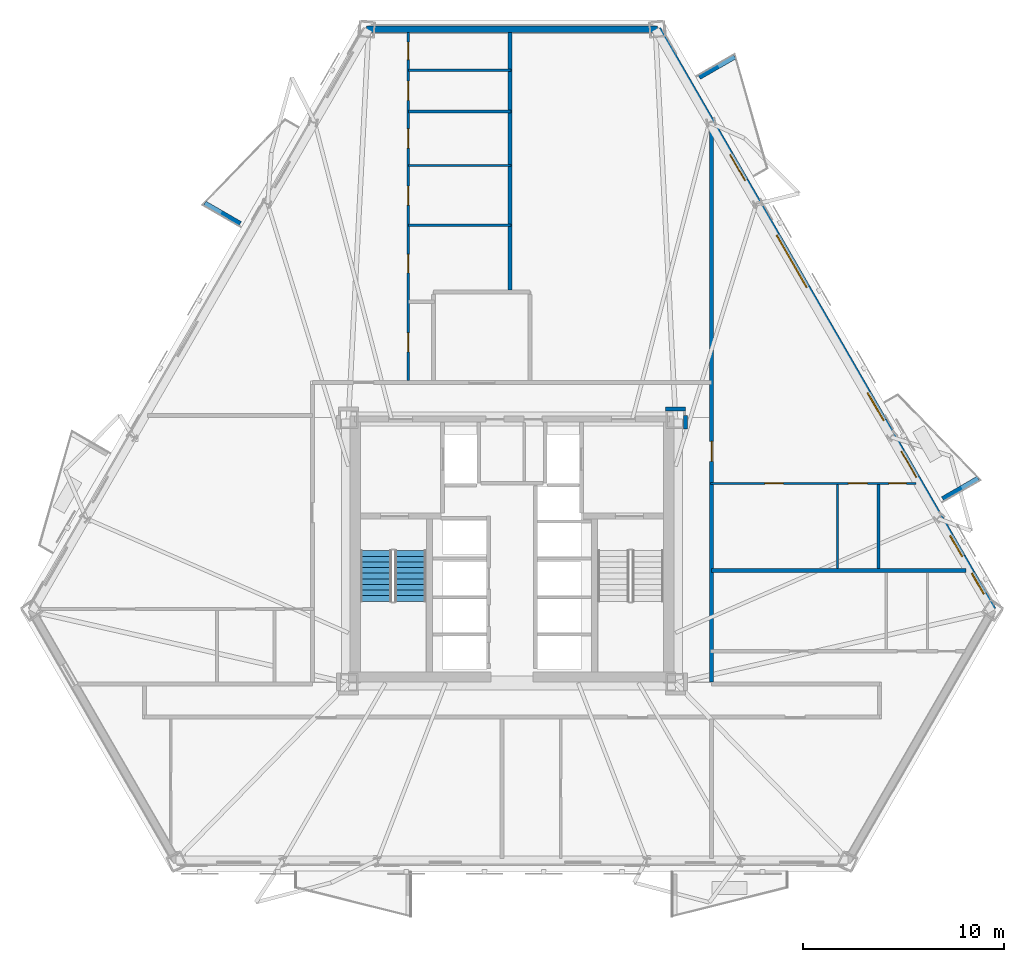
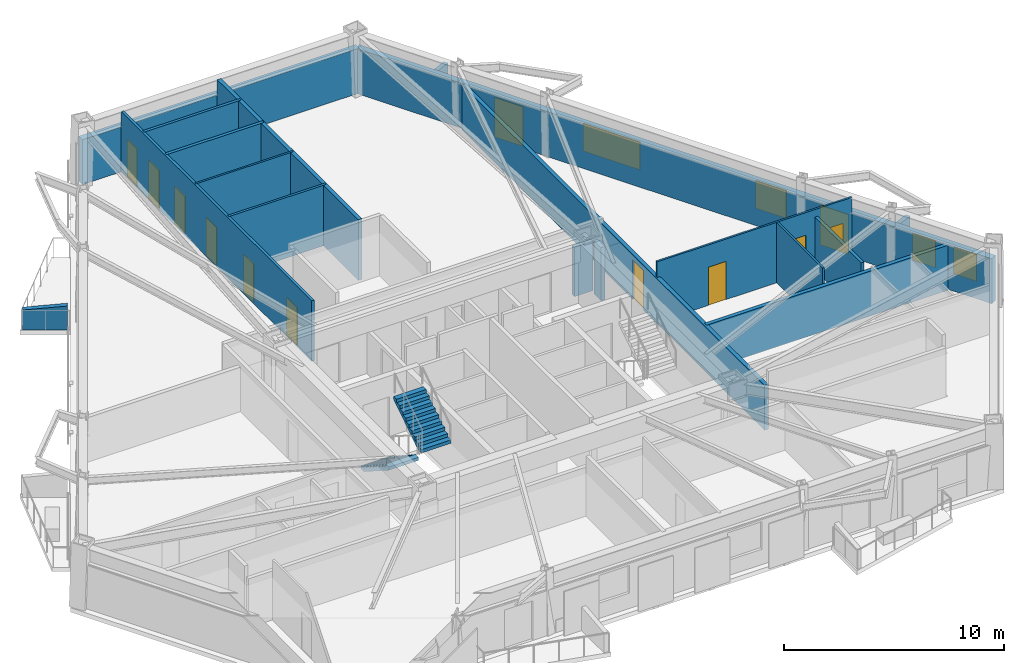
# One storey, part 5 of 10: 18 walls, 12 doors, 4 windows, 2 stair flights, 16 openings, 1 element without a shape of its own.
"""IFC4 building model written with IfcOpenShell, lengths in metres."""

import ifcopenshell
import ifcopenshell.guid

model = None  # the IFC model being written
_history = None  # IfcOwnerHistory: only IFC2X3 demands one
_inside = {}  # id of a spatial element -> (the spatial element, [elements in it])
_under = {}  # id of a project, library or spatial element -> (it, [spatial elements below it])
_declared = {}  # id of a project -> (the project, [libraries it declares])
_typed = {}  # id of a type object -> (the type object, [elements of that type])
_made_of = {}  # id of a material, layer set ... -> (it, [elements and type objects made of it])


def new_model(schema):
    """Start an empty IFC model of exactly this schema.

    Asked for "IFC4X3", IfcOpenShell would pick the latest addendum, in which some entities
    have other attributes; the version numbers below select the first issue.
    IFC2X3 requires an IfcOwnerHistory on every rooted entity: one is made here for all.
    """
    global model, _history
    if schema == "IFC4X3":
        model = ifcopenshell.file(schema_version=(4, 3, 0, 0))
    else:
        model = ifcopenshell.file(schema=schema)
    _inside.clear()
    _under.clear()
    _declared.clear()
    _typed.clear()
    _made_of.clear()
    _history = None
    if model.schema == "IFC2X3":
        org = make("IfcOrganization", Name="unknown")
        user = make(
            "IfcPersonAndOrganization",
            ThePerson=make("IfcPerson", FamilyName="unknown"),
            TheOrganization=org,
        )
        app = make(
            "IfcApplication",
            ApplicationDeveloper=org,
            Version="unknown",
            ApplicationFullName="unknown",
            ApplicationIdentifier="unknown",
        )
        _history = make(
            "IfcOwnerHistory",
            OwningUser=user,
            OwningApplication=app,
            ChangeAction="ADDED",
            CreationDate=0,
        )
    return model


def make(cls, **values):
    """One entity of the class cls with the attributes given. An attribute that is None is left unset."""
    return model.create_entity(
        cls, **{name: value for name, value in values.items() if value is not None}
    )


def rooted(cls, **values):
    """An entity with a GlobalId (a new one), such as an element, a storey or a relation."""
    return make(cls, GlobalId=ifcopenshell.guid.new(), OwnerHistory=_history, **values)


def si_unit(unit_type, name, prefix=None):
    """IfcSIUnit, for example si_unit("LENGTHUNIT", "METRE", prefix="MILLI")."""
    return make("IfcSIUnit", UnitType=unit_type, Prefix=prefix, Name=name)


def assignment(units):
    """IfcUnitAssignment: the units of a project."""
    return None if units is None else make("IfcUnitAssignment", Units=units)


def point(xyz):
    """IfcCartesianPoint."""
    return None if xyz is None else make("IfcCartesianPoint", Coordinates=xyz)


def direction(xyz):
    """IfcDirection."""
    return None if xyz is None else make("IfcDirection", DirectionRatios=xyz)


def frame(location, z_axis=None, x_axis=None):
    """IfcAxis2Placement3D, a coordinate frame: its origin and axes. An axis left out is left unset."""
    return make(
        "IfcAxis2Placement3D",
        Location=point(location),
        Axis=direction(z_axis),
        RefDirection=direction(x_axis),
    )


def frame_2d(location, x_axis=None):
    """IfcAxis2Placement2D, a coordinate frame in the plane: its origin and x axis."""
    return make(
        "IfcAxis2Placement2D", Location=point(location), RefDirection=direction(x_axis)
    )


def origin():
    """The frame at (0, 0, 0) with its axes left unset."""
    return frame((0.0, 0.0, 0.0))


def place(relative_to, where):
    """IfcLocalPlacement: puts the frame where relative to a parent placement (None: the world)."""
    return make(
        "IfcLocalPlacement", PlacementRelTo=relative_to, RelativePlacement=where
    )


def context(
    kind, dimensions, precision=None, world=None, true_north=None, identifier=None
):
    """IfcGeometricRepresentationContext, for example the 3D "Model" context."""
    return make(
        "IfcGeometricRepresentationContext",
        ContextIdentifier=identifier,
        ContextType=kind,
        CoordinateSpaceDimension=dimensions,
        Precision=precision,
        WorldCoordinateSystem=world,
        TrueNorth=true_north,
    )


def subcontext(parent, identifier, kind, view, scale=None):
    """IfcGeometricRepresentationSubContext, for example "Body" below "Model"."""
    return make(
        "IfcGeometricRepresentationSubContext",
        ContextIdentifier=identifier,
        ContextType=kind,
        ParentContext=parent,
        TargetScale=scale,
        TargetView=view,
    )


def project(units=None, contexts=None):
    """IfcProject with its units and contexts."""
    return rooted(
        "IfcProject",
        Name="project",
        RepresentationContexts=contexts,
        UnitsInContext=assignment(units),
    )


def spatial(cls, under=None, at=None, **own):
    """A site, building, storey or space (cls), placed at a placement, below another one or the project."""
    s = rooted(cls, ObjectPlacement=at, **own)
    if under is not None:
        _under.setdefault(under.id(), (under, []))[1].append(s)
    return s


def polyline(points):
    """IfcPolyline through the points."""
    return make("IfcPolyline", Points=[point(p) for p in points])


def profile(cls, at=None, kind="AREA", **sizes):
    """A parametric profile (cls). Its sizes go by their IFC names, for example OverallWidth=200.0."""
    return make(cls, ProfileType=kind, Position=at, **sizes)


def rectangle(**sizes):
    """IfcRectangleProfileDef."""
    return profile("IfcRectangleProfileDef", **sizes)


def outline(outer, holes=None, kind="AREA"):
    """IfcArbitraryClosedProfileDef: a profile drawn as a closed curve; with holes, ...WithVoids."""
    if holes is None:
        return make("IfcArbitraryClosedProfileDef", ProfileType=kind, OuterCurve=outer)
    return make(
        "IfcArbitraryProfileDefWithVoids",
        ProfileType=kind,
        OuterCurve=outer,
        InnerCurves=holes,
    )


def extrude(swept, where, along, depth):
    """IfcExtrudedAreaSolid: the profile swept, set in the frame where, extruded along a direction by depth."""
    return make(
        "IfcExtrudedAreaSolid",
        SweptArea=swept,
        Position=where,
        ExtrudedDirection=direction(along),
        Depth=depth,
    )


def shape(context_of_items, identifier, shape_type, items):
    """IfcShapeRepresentation: the items that make up one representation, for example the "Body"."""
    return make(
        "IfcShapeRepresentation",
        ContextOfItems=context_of_items,
        RepresentationIdentifier=identifier,
        RepresentationType=shape_type,
        Items=items,
    )


def material(Name=None, Category=None):
    """IfcMaterial."""
    return make("IfcMaterial", Name=Name, Category=Category)


def layer(
    of_material, thickness, ventilated=None, Name=None, Category=None, Priority=None
):
    """IfcMaterialLayer: one layer of a wall or slab, of a material (None: an air gap)."""
    return make(
        "IfcMaterialLayer",
        Material=of_material,
        LayerThickness=thickness,
        IsVentilated=ventilated,
        Name=Name,
        Category=Category,
        Priority=Priority,
    )


def layer_set(layers, Name=None):
    """IfcMaterialLayerSet."""
    return make("IfcMaterialLayerSet", MaterialLayers=layers, LayerSetName=Name)


def made_of(thing, what):
    """Note that an element or type object is made of a material, layer set ...; save() writes the relation."""
    if what is not None:
        _made_of.setdefault(what.id(), (what, []))[1].append(thing)
    return thing


def type_object(cls, material=None, **own):
    """A type object (cls), such as IfcWallType, which elements share."""
    return made_of(rooted(cls, **own), material)


def element(
    cls,
    number,
    at=None,
    inside=None,
    cuts=None,
    type_object=None,
    material=None,
    context=None,
    identifier="Body",
    shape_type=None,
    held_by="IfcProductDefinitionShape",
    body=None,
    shapes=None,
    **own,
):
    """One element of the class cls, such as IfcWall. Its Tag is "e" and its number.

    at: its placement. inside: the storey or other place that contains it. cuts: it is an
    opening in that element (IfcRelVoidsElement). A single representation is given by context,
    identifier, shape_type and body (its items); several are given by shapes. held_by: the class
    of the entity that holds the representations. save() writes the other relations.
    """
    e = rooted(cls, Tag="e%d" % number, ObjectPlacement=at, **own)
    if body is not None:
        shapes = [shape(context, identifier, shape_type, body)]
    if shapes is not None:
        e.Representation = make(held_by, Representations=shapes)
    if inside is not None:
        _inside.setdefault(inside.id(), (inside, []))[1].append(e)
    if cuts is not None:
        rooted(
            "IfcRelVoidsElement", RelatingBuildingElement=cuts, RelatedOpeningElement=e
        )
    if type_object is not None:
        _typed.setdefault(type_object.id(), (type_object, []))[1].append(e)
    return made_of(e, material)


def fill(opening, filler):
    """IfcRelFillsElement: the door or window that sits in an opening."""
    return rooted(
        "IfcRelFillsElement",
        RelatingOpeningElement=opening,
        RelatedBuildingElement=filler,
    )


def aggregate(whole, parts):
    """IfcRelAggregates: a whole, such as a stair, and the parts it consists of."""
    return rooted("IfcRelAggregates", RelatingObject=whole, RelatedObjects=parts)


def save(model, path):
    """Write the relations noted so far, then the file.

    IfcRelAggregates (storeys below a building ...), IfcRelContainedInSpatialStructure (elements
    in a storey), IfcRelDefinesByType, IfcRelAssociatesMaterial and IfcRelDeclares: one each for
    every whole, place, type object, material and project.
    """
    for whole, parts in _under.values():
        aggregate(whole, parts)
    for where, things in _inside.values():
        rooted(
            "IfcRelContainedInSpatialStructure",
            RelatedElements=things,
            RelatingStructure=where,
        )
    for kind, things in _typed.values():
        rooted("IfcRelDefinesByType", RelatedObjects=things, RelatingType=kind)
    for what, things in _made_of.values():
        rooted("IfcRelAssociatesMaterial", RelatedObjects=things, RelatingMaterial=what)
    for by, libraries in _declared.values():
        rooted("IfcRelDeclares", RelatingContext=by, RelatedDefinitions=libraries)
    model.write(path)


model = new_model("IFC4")

# Units and contexts
model_context = context("Model", 3, precision=1e-05, world=origin(), true_north=direction((0.0, 1.0)))
body_context = subcontext(model_context, "Body", "Model", "MODEL_VIEW")
ifc_project = project(units=[si_unit("LENGTHUNIT", "METRE"), si_unit("AREAUNIT", "SQUARE_METRE"), si_unit("VOLUMEUNIT", "CUBIC_METRE"), si_unit("PLANEANGLEUNIT", "RADIAN"), si_unit("MASSUNIT", "GRAM", prefix="KILO")], contexts=[model_context])

# Site, building, storey
site_placement = place(None, origin())
site = spatial("IfcSite", under=ifc_project, at=site_placement, CompositionType="ELEMENT")
building_placement = place(site_placement, origin())
building = spatial("IfcBuilding", under=site, at=building_placement, Name="Oramaril Tower", CompositionType="ELEMENT")
storey_placement = place(building_placement, frame((0.0, 0.0, 52.5)))
storey = spatial("IfcBuildingStorey", under=building, at=storey_placement, Name="L13", CompositionType="ELEMENT", Elevation=52.5)

# Wall, openings, doors, windows
ifc_material_1 = material(Name="Warm Cream Limestone", Category="masonry")
ifc_layer_1 = layer(ifc_material_1, 0.340087890625)
ifc_layer_set_1 = layer_set([ifc_layer_1], Name="WT-EXT34")
wall_type_1 = type_object("IfcWallType", Name="WT-EXT34", PredefinedType="SOLIDWALL", material=ifc_layer_set_1)
wall_1_placement = place(storey_placement, frame((61.458251953125, 14.647705078125, 0.0), z_axis=(0.0, 0.0, 1.0), x_axis=(-0.500001264705, 0.866024673605, 0.0)))
wall_1 = element("IfcWall", 1, at=wall_1_placement, inside=storey, type_object=wall_type_1, Name="L13 Tower Limestone Facade Wall 4M", PredefinedType="SOLIDWALL", context=body_context, shape_type="SweptSolid", body=[
    extrude(rectangle(XDim=33.40185546875, YDim=0.340087890625, at=frame_2d((16.700927734375, 0.0))), origin(), (0.0, 0.0, 1.0), 2.493896484375),
])
opening_1_placement = place(wall_1_placement, frame((7.614501953125, 0.0, 0.0)))
opening_1 = element("IfcOpeningElement", 2, at=opening_1_placement, cuts=wall_1, Name="Opening D-L13-BAL-NE1", PredefinedType="OPENING", context=body_context, shape_type="SweptSolid", body=[
    extrude(rectangle(XDim=1.5, YDim=2.199951171875, at=frame_2d((0.75, 1.10009765625))), frame((0.0, 0.169921875, 0.0), z_axis=(0.0, -1.0, 0.0), x_axis=(1.0, 0.0, 0.0)), (0.0, 0.0, 1.0), 0.340087890625),
])
opening_2_placement = place(wall_1_placement, frame((24.6923828125, 0.0, 0.0)))
opening_2 = element("IfcOpeningElement", 3, at=opening_2_placement, cuts=wall_1, Name="Opening D-L13-BAL-NE2", PredefinedType="OPENING", context=body_context, shape_type="SweptSolid", body=[
    extrude(rectangle(XDim=1.5, YDim=2.199951171875, at=frame_2d((0.75, 1.10009765625))), frame((0.0, 0.169921875, 0.0), z_axis=(0.0, -1.0, 0.0), x_axis=(1.0, 0.0, 0.0)), (0.0, 0.0, 1.0), 0.340087890625),
])
opening_3_placement = place(wall_1_placement, frame((0.8994140625, 0.0, 0.85009765625)))
opening_3 = element("IfcOpeningElement", 4, at=opening_3_placement, cuts=wall_1, Name="Opening WN-09", PredefinedType="OPENING", context=body_context, shape_type="SweptSolid", body=[
    extrude(rectangle(XDim=1.199951171875, YDim=1.47998046875, at=frame_2d((0.60009765625, 0.739990234375))), frame((0.0, 0.169921875, 0.0), z_axis=(0.0, -1.0, 0.0), x_axis=(1.0, 0.0, 0.0)), (0.0, 0.0, 1.0), 0.340087890625),
])
opening_4_placement = place(wall_1_placement, frame((10.8818359375, 0.0, 0.85009765625)))
opening_4 = element("IfcOpeningElement", 5, at=opening_4_placement, cuts=wall_1, Name="Opening WN-07", PredefinedType="OPENING", context=body_context, shape_type="SweptSolid", body=[
    extrude(rectangle(XDim=1.60009765625, YDim=1.533935546875, at=frame_2d((0.800048828125, 0.76708984375))), frame((0.0, 0.169921875, 0.0), z_axis=(0.0, -1.0, 0.0), x_axis=(1.0, 0.0, 0.0)), (0.0, 0.0, 1.0), 0.340087890625),
])
opening_5_placement = place(wall_1_placement, frame((18.55078125, 0.0, 0.85009765625)))
opening_5 = element("IfcOpeningElement", 6, at=opening_5_placement, cuts=wall_1, Name="Opening WN-10", PredefinedType="OPENING", context=body_context, shape_type="SweptSolid", body=[
    extrude(rectangle(XDim=3.0, YDim=1.533935546875, at=frame_2d((1.5, 0.76708984375))), frame((0.0, 0.169921875, 0.0), z_axis=(0.0, -1.0, 0.0), x_axis=(1.0, 0.0, 0.0)), (0.0, 0.0, 1.0), 0.340087890625),
])
opening_6_placement = place(wall_1_placement, frame((3.05859375, 0.0, 0.85009765625)))
opening_6 = element("IfcOpeningElement", 7, at=opening_6_placement, cuts=wall_1, Name="Opening WN-09", PredefinedType="OPENING", context=body_context, shape_type="SweptSolid", body=[
    extrude(rectangle(XDim=1.199951171875, YDim=1.47998046875, at=frame_2d((0.60009765625, 0.739990234375))), frame((0.0, 0.169921875, 0.0), z_axis=(0.0, -1.0, 0.0), x_axis=(1.0, 0.0, 0.0)), (0.0, 0.0, 1.0), 0.340087890625),
])
ifc_material_2 = material(Name="Anodised Aluminium 6063-T6", Category="aluminium")
door_type_1 = type_object("IfcDoorType", Name="DT-BAL", OperationType="NOTDEFINED", PredefinedType="DOOR", material=ifc_material_2)
door_1_placement = place(opening_1_placement, origin())
door_1 = element("IfcDoor", 8, at=door_1_placement, inside=storey, type_object=door_type_1, Name="L13 Balcony Glazed Door L13-BAL-NE1", OperationType="SINGLE_SWING_RIGHT", OverallHeight=2.199951171875, OverallWidth=1.5, PredefinedType="DOOR", context=body_context, shape_type="SweptSolid", body=[
    extrude(rectangle(XDim=1.5, YDim=2.199951171875, at=frame_2d((0.75, 1.10009765625))), frame((0.0, 0.02490234375, 0.0), z_axis=(0.0, -1.0, 0.0), x_axis=(1.0, 0.0, 0.0)), (0.0, 0.0, 1.0), 0.050048828125),
])
fill(opening_1, door_1)
door_2_placement = place(opening_2_placement, origin())
door_2 = element("IfcDoor", 9, at=door_2_placement, inside=storey, type_object=door_type_1, Name="L13 Balcony Glazed Door L13-BAL-NE2", OperationType="SINGLE_SWING_LEFT", OverallHeight=2.199951171875, OverallWidth=1.5, PredefinedType="DOOR", context=body_context, shape_type="SweptSolid", body=[
    extrude(rectangle(XDim=1.5, YDim=2.199951171875, at=frame_2d((0.75, 1.10009765625))), frame((0.0, 0.02490234375, 0.0), z_axis=(0.0, -1.0, 0.0), x_axis=(1.0, 0.0, 0.0)), (0.0, 0.0, 1.0), 0.050048828125),
])
fill(opening_2, door_2)
ifc_material_3 = material(Name="Coastal Low-E Insulated Glass", Category="glass")
window_type_1 = type_object("IfcWindowType", Name="WNT-07", PartitioningType="SINGLE_PANEL", PredefinedType="WINDOW", material=ifc_material_3)
window_1_placement = place(opening_4_placement, origin())
window_1 = element("IfcWindow", 10, at=window_1_placement, inside=storey, type_object=window_type_1, Name="L13 Chicago Bay Window WN-07", OverallHeight=1.533935546875, OverallWidth=1.60009765625, PartitioningType="SINGLE_PANEL", PredefinedType="WINDOW", context=body_context, shape_type="SweptSolid", body=[
    extrude(rectangle(XDim=1.60009765625, YDim=1.533935546875, at=frame_2d((0.800048828125, 0.76708984375))), frame((0.0, 0.030029296875, 0.0), z_axis=(0.0, -1.0, 0.0), x_axis=(1.0, 0.0, 0.0)), (0.0, 0.0, 1.0), 0.06005859375),
])
fill(opening_4, window_1)
ifc_material_4 = material(Name="Coastal Low-E Insulated Glass", Category="glass")
window_type_2 = type_object("IfcWindowType", Name="WNT-09", PartitioningType="SINGLE_PANEL", PredefinedType="WINDOW", material=ifc_material_4)
window_2_placement = place(opening_3_placement, origin())
window_2 = element("IfcWindow", 11, at=window_2_placement, inside=storey, type_object=window_type_2, Name="L13 Chicago Bay Window WN-09", OverallHeight=1.47998046875, OverallWidth=1.199951171875, PartitioningType="SINGLE_PANEL", PredefinedType="WINDOW", context=body_context, shape_type="SweptSolid", body=[
    extrude(rectangle(XDim=1.199951171875, YDim=1.47998046875, at=frame_2d((0.60009765625, 0.739990234375))), frame((0.0, 0.030029296875, 0.0), z_axis=(0.0, -1.0, 0.0), x_axis=(1.0, 0.0, 0.0)), (0.0, 0.0, 1.0), 0.06005859375),
])
fill(opening_3, window_2)
window_3_placement = place(opening_6_placement, origin())
window_3 = element("IfcWindow", 12, at=window_3_placement, inside=storey, type_object=window_type_2, Name="L13 Chicago Bay Window WN-09", OverallHeight=1.47998046875, OverallWidth=1.199951171875, PartitioningType="SINGLE_PANEL", PredefinedType="WINDOW", context=body_context, shape_type="SweptSolid", body=[
    extrude(rectangle(XDim=1.199951171875, YDim=1.47998046875, at=frame_2d((0.60009765625, 0.739990234375))), frame((0.0, 0.030029296875, 0.0), z_axis=(0.0, -1.0, 0.0), x_axis=(1.0, 0.0, 0.0)), (0.0, 0.0, 1.0), 0.06005859375),
])
fill(opening_6, window_3)
ifc_material_5 = material(Name="Coastal Low-E Insulated Glass", Category="glass")
window_type_3 = type_object("IfcWindowType", Name="WNT-10", PartitioningType="SINGLE_PANEL", PredefinedType="WINDOW", material=ifc_material_5)
window_4_placement = place(opening_5_placement, origin())
window_4 = element("IfcWindow", 13, at=window_4_placement, inside=storey, type_object=window_type_3, Name="L13 Chicago Bay Window WN-10", OverallHeight=1.533935546875, OverallWidth=3.0, PartitioningType="SINGLE_PANEL", PredefinedType="WINDOW", context=body_context, shape_type="SweptSolid", body=[
    extrude(rectangle(XDim=3.0, YDim=1.533935546875, at=frame_2d((1.5, 0.76708984375))), frame((0.0, 0.030029296875, 0.0), z_axis=(0.0, -1.0, 0.0), x_axis=(1.0, 0.0, 0.0)), (0.0, 0.0, 1.0), 0.06005859375),
])
fill(opening_5, window_4)

# Walls
wall_2_placement = place(storey_placement, frame((44.75732421875, 43.574462890625, 0.0), z_axis=(0.0, 0.0, 1.0), x_axis=(-1.0, 0.0, 0.0)))
element("IfcWall", 14, at=wall_2_placement, inside=storey, type_object=wall_type_1, Name="L13 Tower Limestone Facade Wall 5M", PredefinedType="SOLIDWALL", context=body_context, shape_type="SweptSolid", body=[
    extrude(rectangle(XDim=14.5146484375, YDim=0.340087890625, at=frame_2d((7.25732421875, 0.0))), origin(), (0.0, 0.0, 1.0), 2.493896484375),
])
ifc_material_6 = material(Name="Concrete C40/50", Category="concrete")
ifc_layer_2 = layer(ifc_material_6, 0.22998046875)
ifc_layer_set_2 = layer_set([ifc_layer_2], Name="WT-PRP23")
wall_type_2 = type_object("IfcWallType", Name="WT-PRP23", PredefinedType="PARAPET", material=ifc_layer_set_2)
for number, where, z_axis, x_axis, name in (
    (15, (58.956298828125, 20.177001953125, 0.0), (0.0, 0.0, 1.0), (0.866042246008, 0.499970827278, 0.0), "L13 Trapezoidal Balcony Frame Cheek L13-BAL-NE1-L"),
    (16, (46.83251953125, 41.17626953125, 0.0), (0.0, 0.0, 1.0), (0.866012356593, 0.500022597718, 0.0), "L13 Trapezoidal Balcony Frame Cheek L13-BAL-NE2-R"),
    (17, (23.960205078125, 33.888671875, 0.0), (0.0, 0.0, 1.0), (-0.866042246008, 0.499970827278, 0.0), "L13 Trapezoidal Balcony Frame Cheek L13-BAL-NW1-R"),
):
    element("IfcWall", number, at=place(storey_placement, frame(where, z_axis=z_axis, x_axis=x_axis)), inside=storey, type_object=wall_type_2, Name=name, PredefinedType="PARAPET", context=body_context, shape_type="SweptSolid", body=[
        extrude(outline(polyline([(0.0, 0.0), (2.0419921875, 0.0), (2.0419921875, 1.10009765625), (0.0, 1.320068359375), (0.0, 0.0)])), frame((0.0, 0.114990234375, 0.0), z_axis=(0.0, -1.0, 0.0), x_axis=(1.0, 0.0, 0.0)), (0.0, 0.0, 1.0), 0.22998046875),
    ])

# Wall, openings, doors
ifc_material_7 = material(Name="Acoustic Gypsum Board Partition")
ifc_layer_3 = layer(ifc_material_7, 0.10009765625)
ifc_layer_set_3 = layer_set([ifc_layer_3], Name="WT-PT10")
wall_type_3 = type_object("IfcWallType", Name="WT-PT10", PredefinedType="PARTITIONING", material=ifc_layer_set_3)
wall_3_placement = place(storey_placement, frame((47.39990234375, 20.949951171875, 0.0), z_axis=(0.0, 0.0, 1.0), x_axis=(1.0, 0.0, 0.0)))
wall_3 = element("IfcWall", 18, at=wall_3_placement, inside=storey, type_object=wall_type_3, Name="L13 Interior Partition PT-10", PredefinedType="PARTITIONING", context=body_context, shape_type="SweptSolid", body=[
    extrude(rectangle(XDim=10.21875, YDim=0.10009765625, at=frame_2d((5.109375, 0.0))), origin(), (0.0, 0.0, 1.0), 3.360107421875),
])
opening_7_placement = place(wall_3_placement, frame((2.703125, 0.0, 0.0)))
opening_7 = element("IfcOpeningElement", 19, at=opening_7_placement, cuts=wall_3, Name="Opening D-L13-10", PredefinedType="OPENING", context=body_context, shape_type="SweptSolid", body=[
    extrude(rectangle(XDim=0.919921875, YDim=2.1201171875, at=frame_2d((0.4599609375, 1.06005859375))), frame((0.0, 0.050048828125, 0.0), z_axis=(0.0, -1.0, 0.0), x_axis=(1.0, 0.0, 0.0)), (0.0, 0.0, 1.0), 0.10009765625),
])
opening_8_placement = place(wall_3_placement, frame((6.856201171875, 0.0, 0.0)))
opening_8 = element("IfcOpeningElement", 20, at=opening_8_placement, cuts=wall_3, Name="Opening D-L13-11", PredefinedType="OPENING", context=body_context, shape_type="SweptSolid", body=[
    extrude(rectangle(XDim=0.949951171875, YDim=2.10009765625, at=frame_2d((0.47509765625, 1.050048828125))), frame((0.0, 0.050048828125, 0.0), z_axis=(0.0, -1.0, 0.0), x_axis=(1.0, 0.0, 0.0)), (0.0, 0.0, 1.0), 0.10009765625),
])
opening_9_placement = place(wall_3_placement, frame((8.876220703125, 0.0, 0.0)))
opening_9 = element("IfcOpeningElement", 21, at=opening_9_placement, cuts=wall_3, Name="Opening D-L13-12", PredefinedType="OPENING", context=body_context, shape_type="SweptSolid", body=[
    extrude(rectangle(XDim=0.8798828125, YDim=2.080078125, at=frame_2d((0.43994140625, 1.0400390625))), frame((0.0, 0.050048828125, 0.0), z_axis=(0.0, -1.0, 0.0), x_axis=(1.0, 0.0, 0.0)), (0.0, 0.0, 1.0), 0.10009765625),
])
ifc_material_8 = material(Name="FSC Brazilian Freijo Hardwood", Category="wood")
door_type_2 = type_object("IfcDoorType", Name="DT-BATH", OperationType="NOTDEFINED", PredefinedType="DOOR", material=ifc_material_8)
door_3_placement = place(opening_9_placement, origin())
door_3 = element("IfcDoor", 22, at=door_3_placement, inside=storey, type_object=door_type_2, Name="L13 Flat L13-U5 Bathroom Door D-L13-12", OperationType="SINGLE_SWING_LEFT", OverallHeight=2.080078125, OverallWidth=0.8798828125, PredefinedType="DOOR", context=body_context, shape_type="SweptSolid", body=[
    extrude(rectangle(XDim=0.8798828125, YDim=2.080078125, at=frame_2d((0.43994140625, 1.0400390625))), frame((0.0, 0.02490234375, 0.0), z_axis=(0.0, -1.0, 0.0), x_axis=(1.0, 0.0, 0.0)), (0.0, 0.0, 1.0), 0.050048828125),
])
fill(opening_9, door_3)
ifc_material_9 = material(Name="FSC Brazilian Freijo Hardwood", Category="wood")
door_type_3 = type_object("IfcDoorType", Name="DT-BED", OperationType="NOTDEFINED", PredefinedType="DOOR", material=ifc_material_9)
door_4_placement = place(opening_7_placement, origin())
door_4 = element("IfcDoor", 23, at=door_4_placement, inside=storey, type_object=door_type_3, Name="L13 Flat L13-U5 Master Bedroom Door D-L13-10", OperationType="SINGLE_SWING_LEFT", OverallHeight=2.1201171875, OverallWidth=0.919921875, PredefinedType="DOOR", context=body_context, shape_type="SweptSolid", body=[
    extrude(rectangle(XDim=0.919921875, YDim=2.1201171875, at=frame_2d((0.4599609375, 1.06005859375))), frame((0.0, 0.02490234375, 0.0), z_axis=(0.0, -1.0, 0.0), x_axis=(1.0, 0.0, 0.0)), (0.0, 0.0, 1.0), 0.050048828125),
])
fill(opening_7, door_4)
ifc_material_10 = material(Name="FSC Brazilian Freijo Hardwood", Category="wood")
door_type_4 = type_object("IfcDoorType", Name="DT-STDY", OperationType="NOTDEFINED", PredefinedType="DOOR", material=ifc_material_10)
door_5_placement = place(opening_8_placement, origin())
door_5 = element("IfcDoor", 24, at=door_5_placement, inside=storey, type_object=door_type_4, Name="L13 Flat L13-U5 Kitchen Door D-L13-11", OperationType="SINGLE_SWING_RIGHT", OverallHeight=2.10009765625, OverallWidth=0.949951171875, PredefinedType="DOOR", context=body_context, shape_type="SweptSolid", body=[
    extrude(rectangle(XDim=0.949951171875, YDim=2.10009765625, at=frame_2d((0.47509765625, 1.050048828125))), frame((0.0, 0.02490234375, 0.0), z_axis=(0.0, -1.0, 0.0), x_axis=(1.0, 0.0, 0.0)), (0.0, 0.0, 1.0), 0.050048828125),
])
fill(opening_8, door_5)

# Walls
wall_4_placement = place(storey_placement, frame((32.331787109375, 36.780029296875, 0.0), z_axis=(0.0, 0.0, 1.0), x_axis=(1.0, 0.0, 0.0)))
element("IfcWall", 25, at=wall_4_placement, inside=storey, type_object=wall_type_3, Name="L13 Interior Partition PT-10", PredefinedType="PARTITIONING", context=body_context, shape_type="SweptSolid", body=[
    extrude(rectangle(XDim=5.1181640625, YDim=0.10009765625, at=frame_2d((2.55908203125, 0.0))), origin(), (0.0, 0.0, 1.0), 3.360107421875),
])
wall_5_placement = place(storey_placement, frame((53.7099609375, 16.7041015625, 0.0), z_axis=(0.0, 0.0, 1.0), x_axis=(0.0, 1.0, 0.0)))
element("IfcWall", 26, at=wall_5_placement, inside=storey, type_object=wall_type_3, Name="L13 Interior Partition PT-10", PredefinedType="PARTITIONING", context=body_context, shape_type="SweptSolid", body=[
    extrude(rectangle(XDim=4.19189453125, YDim=0.10009765625, at=frame_2d((2.095947265625, 0.0))), origin(), (0.0, 0.0, 1.0), 3.360107421875),
])
ifc_material_11 = material(Name="Acoustic Gypsum Board Partition")
ifc_layer_4 = layer(ifc_material_11, 0.1201171875)
ifc_layer_set_4 = layer_set([ifc_layer_4], Name="WT-PT12")
wall_type_4 = type_object("IfcWallType", Name="WT-PT12", PredefinedType="PARTITIONING", material=ifc_layer_set_4)
wall_6_placement = place(storey_placement, frame((32.331787109375, 33.800048828125, 0.0), z_axis=(0.0, 0.0, 1.0), x_axis=(1.0, 0.0, 0.0)))
element("IfcWall", 27, at=wall_6_placement, inside=storey, type_object=wall_type_4, Name="L13 Interior Partition PT-12", PredefinedType="PARTITIONING", context=body_context, shape_type="SweptSolid", body=[
    extrude(rectangle(XDim=5.1181640625, YDim=0.1201171875, at=frame_2d((2.55908203125, 0.0))), origin(), (0.0, 0.0, 1.0), 3.360107421875),
])
ifc_material_12 = material(Name="Acoustic Gypsum Board Partition")
ifc_layer_5 = layer(ifc_material_12, 0.139892578125)
ifc_layer_set_5 = layer_set([ifc_layer_5], Name="WT-PT14")
wall_type_5 = type_object("IfcWallType", Name="WT-PT14", PredefinedType="PARTITIONING", material=ifc_layer_set_5)
wall_7_placement = place(storey_placement, frame((32.331787109375, 41.530029296875, 0.0), z_axis=(0.0, 0.0, 1.0), x_axis=(1.0, 0.0, 0.0)))
element("IfcWall", 28, at=wall_7_placement, inside=storey, type_object=wall_type_5, Name="L13 Interior Partition PT-14", PredefinedType="PARTITIONING", context=body_context, shape_type="SweptSolid", body=[
    extrude(rectangle(XDim=5.1181640625, YDim=0.139892578125, at=frame_2d((2.55908203125, 0.0))), origin(), (0.0, 0.0, 1.0), 3.360107421875),
])

# Wall, openings, doors
wall_8_placement = place(storey_placement, frame((32.330078125, 26.073974609375, 0.0), z_axis=(0.0, 0.0, 1.0), x_axis=(0.0, 1.0, 0.0)))
wall_8 = element("IfcWall", 29, at=wall_8_placement, inside=storey, type_object=wall_type_5, Name="L13 Interior Partition PT-14", PredefinedType="PARTITIONING", context=body_context, shape_type="SweptSolid", body=[
    extrude(rectangle(XDim=17.326416015625, YDim=0.139892578125, at=frame_2d((8.6630859375, 0.0))), origin(), (0.0, 0.0, 1.0), 3.360107421875),
])
opening_10_placement = place(wall_8_placement, frame((1.422607421875, 0.0, 0.0)))
opening_10 = element("IfcOpeningElement", 30, at=opening_10_placement, cuts=wall_8, Name="Opening D-L13-17", PredefinedType="OPENING", context=body_context, shape_type="SweptSolid", body=[
    extrude(rectangle(XDim=0.949951171875, YDim=2.10009765625, at=frame_2d((0.47509765625, 1.050048828125))), frame((0.0, 0.06982421875, 0.0), z_axis=(0.0, -1.0, 0.0), x_axis=(1.0, 0.0, 0.0)), (0.0, 0.0, 1.0), 0.139892578125),
])
opening_11_placement = place(wall_8_placement, frame((5.365478515625, 0.0, 0.0)))
opening_11 = element("IfcOpeningElement", 31, at=opening_11_placement, cuts=wall_8, Name="Opening D-L13-18", PredefinedType="OPENING", context=body_context, shape_type="SweptSolid", body=[
    extrude(rectangle(XDim=0.919921875, YDim=2.1201171875, at=frame_2d((0.4599609375, 1.06005859375))), frame((0.0, 0.06982421875, 0.0), z_axis=(0.0, -1.0, 0.0), x_axis=(1.0, 0.0, 0.0)), (0.0, 0.0, 1.0), 0.139892578125),
])
opening_12_placement = place(wall_8_placement, frame((8.73681640625, 0.0, 0.0)))
opening_12 = element("IfcOpeningElement", 32, at=opening_12_placement, cuts=wall_8, Name="Opening D-L13-19", PredefinedType="OPENING", context=body_context, shape_type="SweptSolid", body=[
    extrude(rectangle(XDim=0.949951171875, YDim=2.10009765625, at=frame_2d((0.47509765625, 1.050048828125))), frame((0.0, 0.06982421875, 0.0), z_axis=(0.0, -1.0, 0.0), x_axis=(1.0, 0.0, 0.0)), (0.0, 0.0, 1.0), 0.139892578125),
])
opening_13_placement = place(wall_8_placement, frame((11.5810546875, 0.0, 0.0)))
opening_13 = element("IfcOpeningElement", 33, at=opening_13_placement, cuts=wall_8, Name="Opening D-L13-20", PredefinedType="OPENING", context=body_context, shape_type="SweptSolid", body=[
    extrude(rectangle(XDim=0.949951171875, YDim=2.10009765625, at=frame_2d((0.47509765625, 1.050048828125))), frame((0.0, 0.06982421875, 0.0), z_axis=(0.0, -1.0, 0.0), x_axis=(1.0, 0.0, 0.0)), (0.0, 0.0, 1.0), 0.139892578125),
])
opening_14_placement = place(wall_8_placement, frame((13.96044921875, 0.0, 0.0)))
opening_14 = element("IfcOpeningElement", 34, at=opening_14_placement, cuts=wall_8, Name="Opening D-L13-21", PredefinedType="OPENING", context=body_context, shape_type="SweptSolid", body=[
    extrude(rectangle(XDim=0.949951171875, YDim=2.10009765625, at=frame_2d((0.47509765625, 1.050048828125))), frame((0.0, 0.06982421875, 0.0), z_axis=(0.0, -1.0, 0.0), x_axis=(1.0, 0.0, 0.0)), (0.0, 0.0, 1.0), 0.139892578125),
])
opening_15_placement = place(wall_8_placement, frame((15.98046875, 0.0, 0.0)))
opening_15 = element("IfcOpeningElement", 35, at=opening_15_placement, cuts=wall_8, Name="Opening D-L13-22", PredefinedType="OPENING", context=body_context, shape_type="SweptSolid", body=[
    extrude(rectangle(XDim=0.8798828125, YDim=2.080078125, at=frame_2d((0.43994140625, 1.0400390625))), frame((0.0, 0.06982421875, 0.0), z_axis=(0.0, -1.0, 0.0), x_axis=(1.0, 0.0, 0.0)), (0.0, 0.0, 1.0), 0.139892578125),
])
door_6_placement = place(opening_15_placement, origin())
door_6 = element("IfcDoor", 36, at=door_6_placement, inside=storey, type_object=door_type_2, Name="L13 Flat L13-U6 Bathroom Door D-L13-22", OperationType="SINGLE_SWING_LEFT", OverallHeight=2.080078125, OverallWidth=0.8798828125, PredefinedType="DOOR", context=body_context, shape_type="SweptSolid", body=[
    extrude(rectangle(XDim=0.8798828125, YDim=2.080078125, at=frame_2d((0.43994140625, 1.0400390625))), frame((0.0, 0.02490234375, 0.0), z_axis=(0.0, -1.0, 0.0), x_axis=(1.0, 0.0, 0.0)), (0.0, 0.0, 1.0), 0.050048828125),
])
fill(opening_15, door_6)
door_7_placement = place(opening_11_placement, origin())
door_7 = element("IfcDoor", 37, at=door_7_placement, inside=storey, type_object=door_type_3, Name="L13 Flat L13-U6 Bedroom 2 Door D-L13-18", OperationType="SINGLE_SWING_LEFT", OverallHeight=2.1201171875, OverallWidth=0.919921875, PredefinedType="DOOR", context=body_context, shape_type="SweptSolid", body=[
    extrude(rectangle(XDim=0.919921875, YDim=2.1201171875, at=frame_2d((0.4599609375, 1.06005859375))), frame((0.0, 0.02490234375, 0.0), z_axis=(0.0, -1.0, 0.0), x_axis=(1.0, 0.0, 0.0)), (0.0, 0.0, 1.0), 0.050048828125),
])
fill(opening_11, door_7)
door_8_placement = place(opening_10_placement, origin())
door_8 = element("IfcDoor", 38, at=door_8_placement, inside=storey, type_object=door_type_4, Name="L13 Flat L13-U6 Breakfast Dining Room Door D-L13-17", OperationType="SINGLE_SWING_RIGHT", OverallHeight=2.10009765625, OverallWidth=0.949951171875, PredefinedType="DOOR", context=body_context, shape_type="SweptSolid", body=[
    extrude(rectangle(XDim=0.949951171875, YDim=2.10009765625, at=frame_2d((0.47509765625, 1.050048828125))), frame((0.0, 0.02490234375, 0.0), z_axis=(0.0, -1.0, 0.0), x_axis=(1.0, 0.0, 0.0)), (0.0, 0.0, 1.0), 0.050048828125),
])
fill(opening_10, door_8)
door_9_placement = place(opening_12_placement, origin())
door_9 = element("IfcDoor", 39, at=door_9_placement, inside=storey, type_object=door_type_4, Name="L13 Flat L13-U6 Home Office Door D-L13-19", OperationType="SINGLE_SWING_RIGHT", OverallHeight=2.10009765625, OverallWidth=0.949951171875, PredefinedType="DOOR", context=body_context, shape_type="SweptSolid", body=[
    extrude(rectangle(XDim=0.949951171875, YDim=2.10009765625, at=frame_2d((0.47509765625, 1.050048828125))), frame((0.0, 0.02490234375, 0.0), z_axis=(0.0, -1.0, 0.0), x_axis=(1.0, 0.0, 0.0)), (0.0, 0.0, 1.0), 0.050048828125),
])
fill(opening_12, door_9)
door_10_placement = place(opening_13_placement, origin())
door_10 = element("IfcDoor", 40, at=door_10_placement, inside=storey, type_object=door_type_4, Name="L13 Flat L13-U6 Private Dining Room Door D-L13-20", OperationType="SINGLE_SWING_LEFT", OverallHeight=2.10009765625, OverallWidth=0.949951171875, PredefinedType="DOOR", context=body_context, shape_type="SweptSolid", body=[
    extrude(rectangle(XDim=0.949951171875, YDim=2.10009765625, at=frame_2d((0.47509765625, 1.050048828125))), frame((0.0, 0.02490234375, 0.0), z_axis=(0.0, -1.0, 0.0), x_axis=(1.0, 0.0, 0.0)), (0.0, 0.0, 1.0), 0.050048828125),
])
fill(opening_13, door_10)
door_11_placement = place(opening_14_placement, origin())
door_11 = element("IfcDoor", 41, at=door_11_placement, inside=storey, type_object=door_type_4, Name="L13 Flat L13-U6 Kitchen Door D-L13-21", OperationType="SINGLE_SWING_RIGHT", OverallHeight=2.10009765625, OverallWidth=0.949951171875, PredefinedType="DOOR", context=body_context, shape_type="SweptSolid", body=[
    extrude(rectangle(XDim=0.949951171875, YDim=2.10009765625, at=frame_2d((0.47509765625, 1.050048828125))), frame((0.0, 0.02490234375, 0.0), z_axis=(0.0, -1.0, 0.0), x_axis=(1.0, 0.0, 0.0)), (0.0, 0.0, 1.0), 0.050048828125),
])
fill(opening_14, door_11)

# Walls
ifc_material_13 = material(Name="Acoustic Gypsum Board Partition")
ifc_layer_6 = layer(ifc_material_13, 0.159912109375)
ifc_layer_set_6 = layer_set([ifc_layer_6], Name="WT-PT16")
wall_type_6 = type_object("IfcWallType", Name="WT-PT16", PredefinedType="PARTITIONING", material=ifc_layer_set_6)
wall_9_placement = place(storey_placement, frame((32.331787109375, 39.47998046875, 0.0), z_axis=(0.0, 0.0, 1.0), x_axis=(1.0, 0.0, 0.0)))
element("IfcWall", 42, at=wall_9_placement, inside=storey, type_object=wall_type_6, Name="L13 Interior Partition PT-16", PredefinedType="PARTITIONING", context=body_context, shape_type="SweptSolid", body=[
    extrude(rectangle(XDim=5.1181640625, YDim=0.159912109375, at=frame_2d((2.55908203125, 0.0))), origin(), (0.0, 0.0, 1.0), 3.360107421875),
])
wall_10_placement = place(storey_placement, frame((55.760009765625, 16.7041015625, 0.0), z_axis=(0.0, 0.0, 1.0), x_axis=(0.0, 1.0, 0.0)))
element("IfcWall", 43, at=wall_10_placement, inside=storey, type_object=wall_type_6, Name="L13 Interior Partition PT-16", PredefinedType="PARTITIONING", context=body_context, shape_type="SweptSolid", body=[
    extrude(rectangle(XDim=4.19189453125, YDim=0.159912109375, at=frame_2d((2.095947265625, 0.0))), origin(), (0.0, 0.0, 1.0), 2.946044921875),
])
ifc_material_14 = material(Name="Autoclaved Cellular Concrete Block", Category="concrete")
ifc_layer_7 = layer(ifc_material_14, 0.199951171875)
ifc_layer_set_7 = layer_set([ifc_layer_7], Name="WT-PT20")
wall_type_7 = type_object("IfcWallType", Name="WT-PT20", PredefinedType="PARTITIONING", material=ifc_layer_set_7)
wall_11_placement = place(storey_placement, frame((47.449951171875, 16.60009765625, 0.0), z_axis=(0.0, 0.0, 1.0), x_axis=(1.0, 0.0, 0.0)))
element("IfcWall", 44, at=wall_11_placement, inside=storey, type_object=wall_type_7, Name="L13 Interior Partition PT-20", PredefinedType="PARTITIONING", context=body_context, shape_type="SweptSolid", body=[
    extrude(rectangle(XDim=12.68017578125, YDim=0.199951171875, at=frame_2d((6.340087890625, 0.0))), origin(), (0.0, 0.0, 1.0), 2.493896484375),
])
wall_12_placement = place(storey_placement, frame((45.155029296875, 24.639892578125, 0.0), z_axis=(0.0, 0.0, 1.0), x_axis=(1.0, 0.0, 0.0)))
element("IfcWall", 45, at=wall_12_placement, inside=storey, type_object=wall_type_7, Name="L13 Interior Partition PT-20", PredefinedType="PARTITIONING", context=body_context, shape_type="SweptSolid", body=[
    extrude(rectangle(XDim=0.989990234375, YDim=0.199951171875, at=frame_2d((0.4951171875, 0.0))), origin(), (0.0, 0.0, 1.0), 2.738037109375),
])
wall_13_placement = place(storey_placement, frame((37.39990234375, 30.573974609375, 0.0), z_axis=(0.0, 0.0, 1.0), x_axis=(0.0, 1.0, 0.0)))
element("IfcWall", 46, at=wall_13_placement, inside=storey, type_object=wall_type_7, Name="L13 Interior Partition PT-20", PredefinedType="PARTITIONING", context=body_context, shape_type="SweptSolid", body=[
    extrude(rectangle(XDim=12.826416015625, YDim=0.199951171875, at=frame_2d((6.4130859375, 0.0))), origin(), (0.0, 0.0, 1.0), 3.360107421875),
])
wall_14_placement = place(storey_placement, frame((46.14990234375, 23.655029296875, 0.0), z_axis=(0.0, 0.0, 1.0), x_axis=(0.0, 1.0, 0.0)))
element("IfcWall", 47, at=wall_14_placement, inside=storey, type_object=wall_type_7, Name="L13 Interior Partition PT-20", PredefinedType="PARTITIONING", context=body_context, shape_type="SweptSolid", body=[
    extrude(rectangle(XDim=0.6650390625, YDim=0.199951171875, at=frame_2d((0.33251953125, 0.0))), origin(), (0.0, 0.0, 1.0), 2.946044921875),
])

# Wall, opening, door
wall_15_placement = place(storey_placement, frame((47.449951171875, 11.053955078125, 0.0), z_axis=(0.0, 0.0, 1.0), x_axis=(0.0, 1.0, 0.0)))
wall_15 = element("IfcWall", 48, at=wall_15_placement, inside=storey, type_object=wall_type_7, Name="L13 Interior Partition PT-20", PredefinedType="PARTITIONING", context=body_context, shape_type="SweptSolid", body=[
    extrude(rectangle(XDim=27.508544921875, YDim=0.199951171875, at=frame_2d((13.75439453125, 0.0))), origin(), (0.0, 0.0, 1.0), 2.493896484375),
])
opening_16_placement = place(wall_15_placement, frame((10.989013671875, 0.0, 0.0)))
opening_16 = element("IfcOpeningElement", 49, at=opening_16_placement, cuts=wall_15, Name="Opening D-L13-24", PredefinedType="OPENING", context=body_context, shape_type="SweptSolid", body=[
    extrude(rectangle(XDim=1.0, YDim=2.179931640625, at=frame_2d((0.5, 1.08984375))), frame((0.0, 0.10009765625, 0.0), z_axis=(0.0, -1.0, 0.0), x_axis=(1.0, 0.0, 0.0)), (0.0, 0.0, 1.0), 0.199951171875),
])
ifc_material_15 = material(Name="FSC Brazilian Freijo Hardwood", Category="wood")
door_type_5 = type_object("IfcDoorType", Name="DT-APT", OperationType="NOTDEFINED", PredefinedType="DOOR", material=ifc_material_15)
door_12_placement = place(opening_16_placement, origin())
door_12 = element("IfcDoor", 50, at=door_12_placement, inside=storey, type_object=door_type_5, Name="L13 Flat L13-U5 Penthouse Living and Dining Room Door D-L13-24", OperationType="SINGLE_SWING_LEFT", OverallHeight=2.179931640625, OverallWidth=1.0, PredefinedType="DOOR", context=body_context, shape_type="SweptSolid", body=[
    extrude(rectangle(XDim=1.0, YDim=2.179931640625, at=frame_2d((0.5, 1.08984375))), frame((0.0, 0.02490234375, 0.0), z_axis=(0.0, -1.0, 0.0), x_axis=(1.0, 0.0, 0.0)), (0.0, 0.0, 1.0), 0.050048828125),
])
fill(opening_16, door_12)

# Stair, stair flights
ifc_material_16 = material(Name="Concrete C50/60", Category="concrete")
stair_type = type_object("IfcStairType", Name="STT-DG-3600", PredefinedType="HALF_TURN_STAIR", material=ifc_material_16)
stair_placement = place(storey_placement, origin())
stair = element("IfcStair", 51, at=stair_placement, inside=storey, type_object=stair_type, Name="L13 Protected PFP Exit Stair ST-1", PredefinedType="HALF_TURN_STAIR")
ifc_material_17 = material(Name="Concrete C50/60", Category="concrete")
stair_flight_type = type_object("IfcStairFlightType", Name="SFT-DG-3600", PredefinedType="STRAIGHT", material=ifc_material_17)
stair_flight_1_placement = place(storey_placement, frame((30.72998046875, 17.590087890625, 0.0), z_axis=(0.0, 0.0, 1.0), x_axis=(0.0, -1.0, 0.0)))
stair_flight_1 = element("IfcStairFlight", 52, at=stair_flight_1_placement, type_object=stair_flight_type, Name="ST-1 flight 1", NumberOfRisers=10, NumberOfTreads=9, PredefinedType="STRAIGHT", RiserHeight=0.18, TreadLength=0.28, context=body_context, shape_type="SweptSolid", body=[
    extrude(outline(polyline([(0.0, 0.0), (0.0, 0.179931640625), (0.280029296875, 0.179931640625), (0.280029296875, 0.360107421875), (0.56005859375, 0.360107421875), (0.56005859375, 0.5400390625), (0.840087890625, 0.5400390625), (0.840087890625, 0.719970703125), (1.1201171875, 0.719970703125), (1.1201171875, 0.89990234375), (1.39990234375, 0.89990234375), (1.39990234375, 1.080078125), (1.679931640625, 1.080078125), (1.679931640625, 1.260009765625), (1.9599609375, 1.260009765625), (1.9599609375, 1.43994140625), (2.239990234375, 1.43994140625), (2.239990234375, 1.6201171875), (2.52001953125, 1.6201171875), (2.52001953125, 1.800048828125), (2.52001953125, 1.44189453125), (0.277099609375, 0.0), (0.0, 0.0)])), frame((0.0, 0.780029296875, 0.0), z_axis=(0.0, -1.0, 0.0), x_axis=(1.0, 0.0, 0.0)), (0.0, 0.0, 1.0), 1.56005859375),
])
stair_flight_2_placement = place(storey_placement, frame((32.43994140625, 15.070068359375, 1.800048828125), z_axis=(0.0, 0.0, 1.0), x_axis=(0.0, 1.0, 0.0)))
stair_flight_2 = element("IfcStairFlight", 53, at=stair_flight_2_placement, type_object=stair_flight_type, Name="ST-1 flight 2", NumberOfRisers=10, NumberOfTreads=9, PredefinedType="STRAIGHT", RiserHeight=0.18, TreadLength=0.28, context=body_context, shape_type="SweptSolid", body=[
    extrude(outline(polyline([(0.0, 0.0), (0.0, 0.179931640625), (0.280029296875, 0.179931640625), (0.280029296875, 0.360107421875), (0.56005859375, 0.360107421875), (0.56005859375, 0.5400390625), (0.840087890625, 0.5400390625), (0.840087890625, 0.719970703125), (1.1201171875, 0.719970703125), (1.1201171875, 0.89990234375), (1.39990234375, 0.89990234375), (1.39990234375, 1.080078125), (1.679931640625, 1.080078125), (1.679931640625, 1.260009765625), (1.9599609375, 1.260009765625), (1.9599609375, 1.43994140625), (2.239990234375, 1.43994140625), (2.239990234375, 1.6201171875), (2.52001953125, 1.6201171875), (2.52001953125, 1.800048828125), (2.52001953125, 1.44189453125), (0.277099609375, 0.0), (0.0, 0.0)])), frame((0.0, 0.780029296875, 0.0), z_axis=(0.0, -1.0, 0.0), x_axis=(1.0, 0.0, 0.0)), (0.0, 0.0, 1.0), 1.56005859375),
])
aggregate(stair, [stair_flight_1, stair_flight_2])

save(model, "model.ifc")
